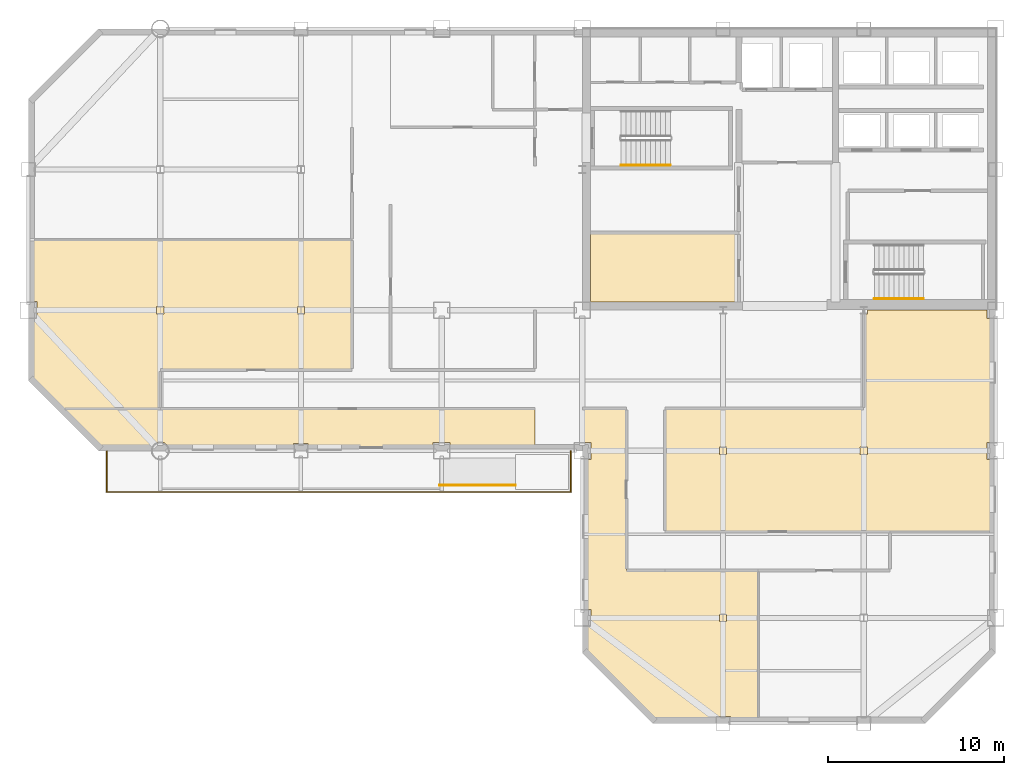
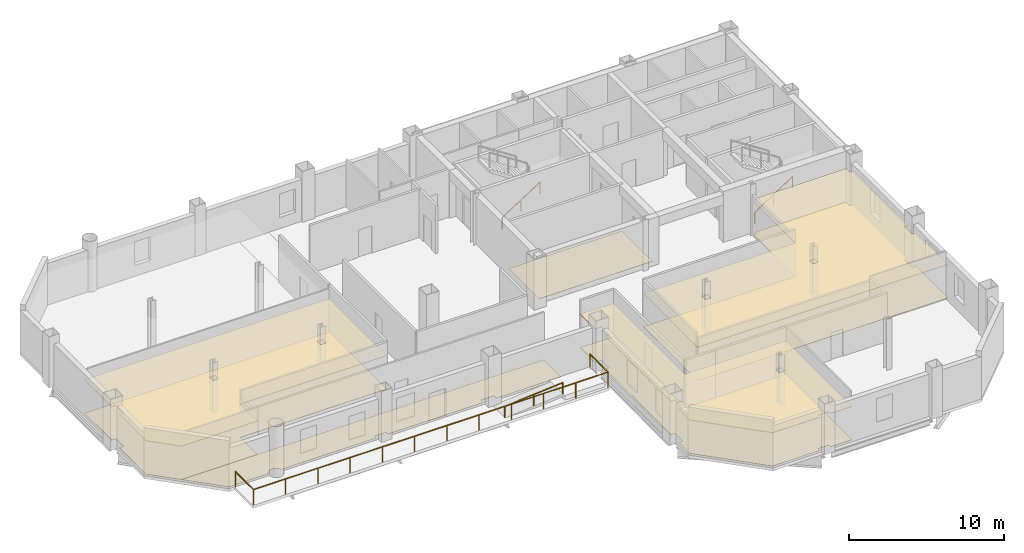
# One storey, part 7 of 10: 8 coverings, 4 railings.
"""IFC4 building model written with IfcOpenShell, lengths in metres."""

from ifc_helpers import new_model, si_unit, direction, frame, origin, origin_2d, place, context, subcontext, project, spatial, polyline, circle, outline, extrude, material, layer, layer_set, type_object, element, save


model = new_model("IFC4")

# Units and contexts
model_context = context("Model", 3, precision=1e-05, world=origin(), true_north=direction((0.0, 1.0)))
body_context = subcontext(model_context, "Body", "Model", "MODEL_VIEW")
ifc_project = project(units=[si_unit("LENGTHUNIT", "METRE"), si_unit("AREAUNIT", "SQUARE_METRE"), si_unit("VOLUMEUNIT", "CUBIC_METRE"), si_unit("PLANEANGLEUNIT", "RADIAN"), si_unit("MASSUNIT", "GRAM", prefix="KILO")], contexts=[model_context])

# Site, building, storey
site_placement = place(None, origin())
site = spatial("IfcSite", under=ifc_project, at=site_placement, CompositionType="ELEMENT")
building_placement = place(site_placement, origin())
building = spatial("IfcBuilding", under=site, at=building_placement, Name="Qianrong Seaharbour Tower", CompositionType="ELEMENT")
storey_placement = place(building_placement, frame((0.0, 0.0, 237.800048828125)))
storey = spatial("IfcBuildingStorey", under=building, at=storey_placement, Name="L57", CompositionType="ELEMENT", Elevation=237.800048828125)

# Coverings
ifc_material_1 = material(Name="Perforated acoustic gypsum ceiling board")
ifc_layer_1 = layer(ifc_material_1, 0.050048828125)
ifc_layer_set_1 = layer_set([ifc_layer_1], Name="Perforated acoustic gypsum ceiling board")
covering_type_1 = type_object("IfcCoveringType", Name="COV-CEIL-GYPSUM-50", PredefinedType="CEILING", material=ifc_layer_set_1)
covering_1_placement = place(storey_placement, frame((0.0, 0.0, 2.60498046875)))
element("IfcCovering", 1, at=covering_1_placement, inside=storey, type_object=covering_type_1, Name="L57 Project Library Acoustic Ceiling", PredefinedType="CEILING", context=body_context, shape_type="SweptSolid", body=[
    extrude(outline(polyline([(16.5, 32.60009765625), (16.5, 30.39990234375), (10.847412109375, 30.39990234375), (9.175048828125, 32.072509765625), (9.175048828125, 35.514892578125), (9.485107421875, 35.514892578125), (9.485107421875, 36.485107421875), (9.175048828125, 36.485107421875), (9.175048828125, 40.0), (27.39990234375, 40.0), (27.39990234375, 32.60009765625), (16.5, 32.60009765625)]), holes=[polyline([(24.7099609375, 35.7900390625), (24.7099609375, 36.2099609375), (24.2900390625, 36.2099609375), (24.2900390625, 35.7900390625), (24.7099609375, 35.7900390625)]), polyline([(16.7099609375, 35.7900390625), (16.7099609375, 36.2099609375), (16.2900390625, 36.2099609375), (16.2900390625, 35.7900390625), (16.7099609375, 35.7900390625)])]), origin(), (0.0, 0.0, 1.0), 0.050048828125),
])
covering_2_placement = place(storey_placement, frame((0.0, 0.0, 2.60498046875)))
element("IfcCovering", 2, at=covering_2_placement, inside=storey, type_object=covering_type_1, Name="L57 Staff Club Assembly Hall Acoustic Ceiling", PredefinedType="CEILING", context=body_context, shape_type="SweptSolid", body=[
    extrude(outline(polyline([(56.5, 30.39990234375), (56.5, 35.7900390625), (56.7099609375, 35.7900390625), (56.7099609375, 36.0), (63.514892578125, 36.0), (63.514892578125, 35.514892578125), (63.824951171875, 35.514892578125), (63.824951171875, 28.485107421875), (63.514892578125, 28.485107421875), (63.514892578125, 27.514892578125), (63.824951171875, 27.514892578125), (63.824951171875, 23.39990234375), (45.199951171875, 23.39990234375), (45.199951171875, 30.39990234375), (56.5, 30.39990234375)]), holes=[polyline([(56.7099609375, 27.7900390625), (56.7099609375, 28.2099609375), (56.2900390625, 28.2099609375), (56.2900390625, 27.7900390625), (56.7099609375, 27.7900390625)]), polyline([(48.7099609375, 27.7900390625), (48.7099609375, 28.2099609375), (48.2900390625, 28.2099609375), (48.2900390625, 27.7900390625), (48.7099609375, 27.7900390625)])]), origin(), (0.0, 0.0, 1.0), 0.050048828125),
])
covering_3_placement = place(storey_placement, frame((0.0, 0.0, 2.60498046875)))
element("IfcCovering", 3, at=covering_3_placement, inside=storey, type_object=covering_type_1, Name="L57 Harbour Symposium Hall 1 Acoustic Ceiling", PredefinedType="CEILING", context=body_context, shape_type="SweptSolid", body=[
    extrude(outline(polyline([(43.0, 21.199951171875), (50.5, 21.199951171875), (50.5, 12.675048828125), (48.909912109375, 12.675048828125), (48.909912109375, 12.909912109375), (48.090087890625, 12.909912109375), (48.090087890625, 12.675048828125), (44.572509765625, 12.675048828125), (40.675048828125, 16.572509765625), (40.675048828125, 18.014892578125), (40.985107421875, 18.014892578125), (40.985107421875, 18.985107421875), (40.675048828125, 18.985107421875), (40.675048828125, 27.514892578125), (40.985107421875, 27.514892578125), (40.985107421875, 28.485107421875), (40.5, 28.485107421875), (40.5, 30.39990234375), (43.0, 30.39990234375), (43.0, 21.199951171875)]), holes=[polyline([(48.7099609375, 18.2900390625), (48.7099609375, 18.7099609375), (48.2900390625, 18.7099609375), (48.2900390625, 18.2900390625), (48.7099609375, 18.2900390625)])]), origin(), (0.0, 0.0, 1.0), 0.050048828125),
])
ifc_material_2 = material(Name="Acoustic modular carpet tile flooring")
ifc_layer_2 = layer(ifc_material_2, 0.02001953125)
ifc_layer_set_2 = layer_set([ifc_layer_2], Name="Acoustic modular carpet tile flooring")
covering_type_2 = type_object("IfcCoveringType", Name="COV-FLOOR-CARPET-20", PredefinedType="FLOORING", material=ifc_layer_set_2)
covering_4_placement = place(storey_placement, origin())
element("IfcCovering", 4, at=covering_4_placement, inside=storey, type_object=covering_type_2, Name="L57 Corporate Archive Room Finish Flooring", PredefinedType="FLOORING", context=body_context, shape_type="SweptSolid", body=[
    extrude(outline(polyline([(49.39990234375, 40.39990234375), (49.39990234375, 36.4599609375), (40.985107421875, 36.4599609375), (40.985107421875, 36.485107421875), (40.9599609375, 36.485107421875), (40.9599609375, 40.39990234375), (49.39990234375, 40.39990234375)])), origin(), (0.0, 0.0, 1.0), 0.02001953125),
])
covering_5_placement = place(storey_placement, origin())
element("IfcCovering", 5, at=covering_5_placement, inside=storey, type_object=covering_type_2, Name="L57 Project Library Finish Flooring", PredefinedType="FLOORING", context=body_context, shape_type="SweptSolid", body=[
    extrude(outline(polyline([(16.5, 32.60009765625), (16.5, 30.39990234375), (10.847412109375, 30.39990234375), (9.175048828125, 32.072509765625), (9.175048828125, 35.514892578125), (9.485107421875, 35.514892578125), (9.485107421875, 36.485107421875), (9.175048828125, 36.485107421875), (9.175048828125, 40.0), (27.39990234375, 40.0), (27.39990234375, 32.60009765625), (16.5, 32.60009765625)])), origin(), (0.0, 0.0, 1.0), 0.02001953125),
])
covering_6_placement = place(storey_placement, origin())
element("IfcCovering", 6, at=covering_6_placement, inside=storey, type_object=covering_type_2, Name="L57 Staff Club Assembly Hall Finish Flooring", PredefinedType="FLOORING", context=body_context, shape_type="SweptSolid", body=[
    extrude(outline(polyline([(56.5, 30.39990234375), (56.5, 35.7900390625), (56.7099609375, 35.7900390625), (56.7099609375, 36.0), (63.514892578125, 36.0), (63.514892578125, 35.514892578125), (63.824951171875, 35.514892578125), (63.824951171875, 28.485107421875), (63.514892578125, 28.485107421875), (63.514892578125, 27.514892578125), (63.824951171875, 27.514892578125), (63.824951171875, 23.39990234375), (45.199951171875, 23.39990234375), (45.199951171875, 30.39990234375), (56.5, 30.39990234375)])), origin(), (0.0, 0.0, 1.0), 0.02001953125),
])
covering_7_placement = place(storey_placement, origin())
element("IfcCovering", 7, at=covering_7_placement, inside=storey, type_object=covering_type_2, Name="L57 Wet Pantry Finish Flooring", PredefinedType="FLOORING", context=body_context, shape_type="SweptSolid", body=[
    extrude(outline(polyline([(32.985107421875, 28.175048828125), (32.985107421875, 28.485107421875), (32.014892578125, 28.485107421875), (32.014892578125, 28.175048828125), (24.909912109375, 28.175048828125), (24.909912109375, 28.409912109375), (24.090087890625, 28.409912109375), (24.090087890625, 28.175048828125), (16.977294921875, 28.175048828125), (16.97119140625, 28.1953125), (16.924072265625, 28.283203125), (16.860595703125, 28.360595703125), (16.783203125, 28.424072265625), (16.6953125, 28.47119140625), (16.599609375, 28.500244140625), (16.5, 28.510009765625), (16.400390625, 28.500244140625), (16.3046875, 28.47119140625), (16.216796875, 28.424072265625), (16.139404296875, 28.360595703125), (16.075927734375, 28.283203125), (16.02880859375, 28.1953125), (16.022705078125, 28.175048828125), (13.072509765625, 28.175048828125), (10.847412109375, 30.39990234375), (37.800048828125, 30.39990234375), (37.800048828125, 28.175048828125), (32.985107421875, 28.175048828125)])), origin(), (0.0, 0.0, 1.0), 0.02001953125),
])
covering_8_placement = place(storey_placement, origin())
element("IfcCovering", 8, at=covering_8_placement, inside=storey, type_object=covering_type_2, Name="L57 Harbour Symposium Hall 1 Finish Flooring", PredefinedType="FLOORING", context=body_context, shape_type="SweptSolid", body=[
    extrude(outline(polyline([(43.0, 21.199951171875), (50.5, 21.199951171875), (50.5, 12.675048828125), (48.909912109375, 12.675048828125), (48.909912109375, 12.909912109375), (48.090087890625, 12.909912109375), (48.090087890625, 12.675048828125), (44.572509765625, 12.675048828125), (40.675048828125, 16.572509765625), (40.675048828125, 18.014892578125), (40.985107421875, 18.014892578125), (40.985107421875, 18.985107421875), (40.675048828125, 18.985107421875), (40.675048828125, 27.514892578125), (40.985107421875, 27.514892578125), (40.985107421875, 28.485107421875), (40.5, 28.485107421875), (40.5, 30.39990234375), (43.0, 30.39990234375), (43.0, 21.199951171875)])), origin(), (0.0, 0.0, 1.0), 0.02001953125),
])

# Railings
ifc_material_3 = material(Name="Stainless steel SUS316L tubular handrail", Category="steel")
railing_type_1 = type_object("IfcRailingType", Name="RAIL-RAMP-HANDRAIL-900", PredefinedType="HANDRAIL", material=ifc_material_3)
railing_1_placement = place(storey_placement, frame((32.3798828125, 26.050048828125, 0.0)))
element("IfcRailing", 9, at=railing_1_placement, inside=storey, type_object=railing_type_1, Name="L57 Harbourfront Ribbon Ramp Handrail", PredefinedType="HANDRAIL", context=body_context, shape_type="SweptSolid", body=[
    extrude(circle(Radius=0.02392578125, at=origin_2d()), frame((0.0, 0.0, 0.8759765625), z_axis=(0.996548476515, 0.0, 0.083012854161), x_axis=(0.0, 1.0, 0.0)), (0.0, 0.0, 1.0), 4.3349609375),
    extrude(circle(Radius=0.02099609375, at=origin_2d()), origin(), (0.0, 0.0, 1.0), 0.851806640625),
    extrude(circle(Radius=0.02099609375, at=origin_2d()), frame((2.16015625, 0.0, 0.179931640625)), (0.0, 0.0, 1.0), 0.851806640625),
    extrude(circle(Radius=0.02099609375, at=origin_2d()), frame((4.320068359375, 0.0, 0.35986328125)), (0.0, 0.0, 1.0), 0.851806640625),
])
ifc_material_4 = material(Name="Stainless steel SUS316L continuous handrail", Category="steel")
railing_type_2 = type_object("IfcRailingType", Name="RAIL-STAIR-HANDRAIL-900", PredefinedType="HANDRAIL", material=ifc_material_4)
railing_2_placement = place(storey_placement, frame((42.699951171875, 44.25, 0.181884765625)))
element("IfcRailing", 10, at=railing_2_placement, inside=storey, type_object=railing_type_2, Name="L57 ST-1 stair handrail 1", PredefinedType="HANDRAIL", context=body_context, shape_type="SweptSolid", body=[
    extrude(circle(Radius=0.02392578125, at=origin_2d()), frame((0.0, 0.0, 0.8759765625), z_axis=(0.838705829183, 0.0, 0.544584733623), x_axis=(0.0, 1.0, 0.0)), (0.0, 0.0, 1.0), 3.338623046875),
    extrude(circle(Radius=0.02099609375, at=origin_2d()), origin(), (0.0, 0.0, 1.0), 0.851806640625),
    extrude(circle(Radius=0.02099609375, at=origin_2d()), frame((1.39990234375, 0.0, 0.9091796875)), (0.0, 0.0, 1.0), 0.851806640625),
    extrude(circle(Radius=0.02099609375, at=origin_2d()), frame((2.800048828125, 0.0, 1.818115234375)), (0.0, 0.0, 1.0), 0.851806640625),
])
railing_3_placement = place(storey_placement, frame((57.10009765625, 36.64990234375, 0.181884765625)))
element("IfcRailing", 11, at=railing_3_placement, inside=storey, type_object=railing_type_2, Name="L57 ST-2 stair handrail 1", PredefinedType="HANDRAIL", context=body_context, shape_type="SweptSolid", body=[
    extrude(circle(Radius=0.02392578125, at=origin_2d()), frame((0.0, 0.0, 0.8759765625), z_axis=(0.83868413941, 0.0, 0.544618136222), x_axis=(0.0, 1.0, 0.0)), (0.0, 0.0, 1.0), 3.33837890625),
    extrude(circle(Radius=0.02099609375, at=origin_2d()), origin(), (0.0, 0.0, 1.0), 0.851806640625),
    extrude(circle(Radius=0.02099609375, at=origin_2d()), frame((1.39990234375, 0.0, 0.9091796875)), (0.0, 0.0, 1.0), 0.851806640625),
    extrude(circle(Radius=0.02099609375, at=origin_2d()), frame((2.7998046875, 0.0, 1.818115234375)), (0.0, 0.0, 1.0), 0.851806640625),
])
ifc_material_5 = material(Name="Stainless steel SUS316L and laminated safety glass balustrade", Category="steel")
railing_type_3 = type_object("IfcRailingType", Name="RAIL-TERRACE-GUARD-1220", PredefinedType="GUARDRAIL", material=ifc_material_5)
railing_4_placement = place(storey_placement, frame((13.4599609375, 27.97998046875, 0.0)))
element("IfcRailing", 12, at=railing_4_placement, inside=storey, type_object=railing_type_3, Name="L57 Harbourfront Ribbon Gallery Guardrail", PredefinedType="GUARDRAIL", context=body_context, shape_type="SweptSolid", body=[
    extrude(circle(Radius=0.02392578125, at=origin_2d()), frame((0.0, 0.0, 1.19580078125), z_axis=(0.0, -1.0, 0.0), x_axis=(1.0, 0.0, 0.0)), (0.0, 0.0, 1.0), 2.320068359375),
    extrude(circle(Radius=0.02392578125, at=origin_2d()), frame((0.0, -2.320068359375, 1.19580078125), z_axis=(1.0, 0.0, 0.0), x_axis=(0.0, 1.0, 0.0)), (0.0, 0.0, 1.0), 26.380126953125),
    extrude(circle(Radius=0.02392578125, at=origin_2d()), frame((26.380126953125, -2.320068359375, 1.19580078125), z_axis=(0.0, 1.0, 0.0), x_axis=(-1.0, 0.0, 0.0)), (0.0, 0.0, 1.0), 2.320068359375),
    extrude(circle(Radius=0.02099609375, at=origin_2d()), origin(), (0.0, 0.0, 1.0), 1.171875),
    extrude(circle(Radius=0.02099609375, at=origin_2d()), frame((0.0, -2.320068359375, 0.0)), (0.0, 0.0, 1.0), 1.171875),
    extrude(circle(Radius=0.02099609375, at=origin_2d()), frame((2.398193359375, -2.320068359375, 0.0)), (0.0, 0.0, 1.0), 1.171875),
    extrude(circle(Radius=0.02099609375, at=origin_2d()), frame((4.79638671875, -2.320068359375, 0.0)), (0.0, 0.0, 1.0), 1.171875),
    extrude(circle(Radius=0.02099609375, at=origin_2d()), frame((7.194580078125, -2.320068359375, 0.0)), (0.0, 0.0, 1.0), 1.171875),
    extrude(circle(Radius=0.02099609375, at=origin_2d()), frame((9.5927734375, -2.320068359375, 0.0)), (0.0, 0.0, 1.0), 1.171875),
    extrude(circle(Radius=0.02099609375, at=origin_2d()), frame((11.990966796875, -2.320068359375, 0.0)), (0.0, 0.0, 1.0), 1.171875),
    extrude(circle(Radius=0.02099609375, at=origin_2d()), frame((14.38916015625, -2.320068359375, 0.0)), (0.0, 0.0, 1.0), 1.171875),
    extrude(circle(Radius=0.02099609375, at=origin_2d()), frame((16.787353515625, -2.320068359375, 0.0)), (0.0, 0.0, 1.0), 1.171875),
    extrude(circle(Radius=0.02099609375, at=origin_2d()), frame((19.185546875, -2.320068359375, 0.0)), (0.0, 0.0, 1.0), 1.171875),
    extrude(circle(Radius=0.02099609375, at=origin_2d()), frame((21.583740234375, -2.320068359375, 0.0)), (0.0, 0.0, 1.0), 1.171875),
    extrude(circle(Radius=0.02099609375, at=origin_2d()), frame((23.98193359375, -2.320068359375, 0.0)), (0.0, 0.0, 1.0), 1.171875),
    extrude(circle(Radius=0.02099609375, at=origin_2d()), frame((26.380126953125, -2.320068359375, 0.0)), (0.0, 0.0, 1.0), 1.171875),
    extrude(circle(Radius=0.02099609375, at=origin_2d()), frame((26.380126953125, 0.0, 0.0)), (0.0, 0.0, 1.0), 1.171875),
])

save(model, "model.ifc")
